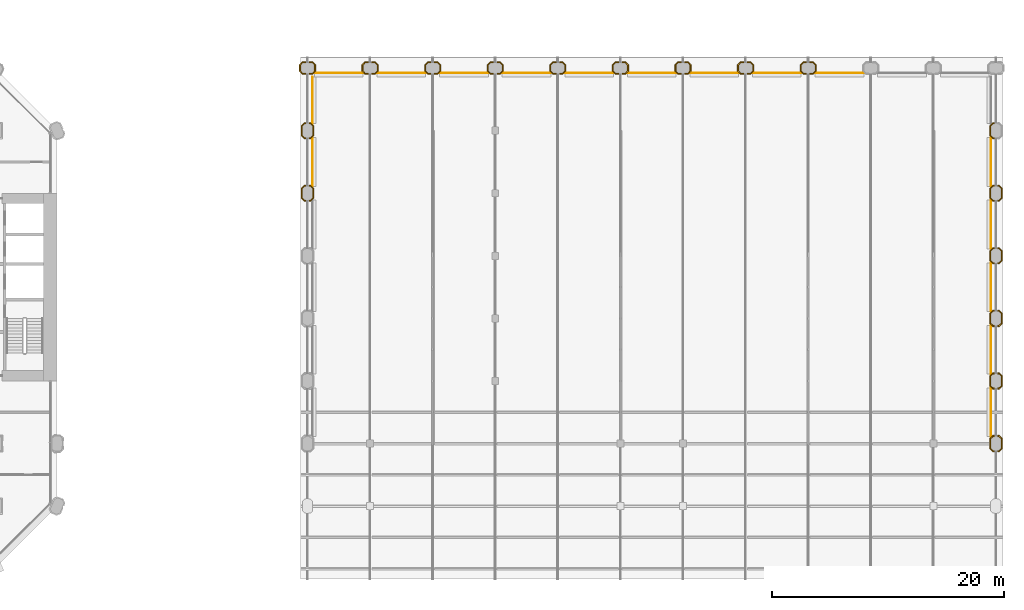
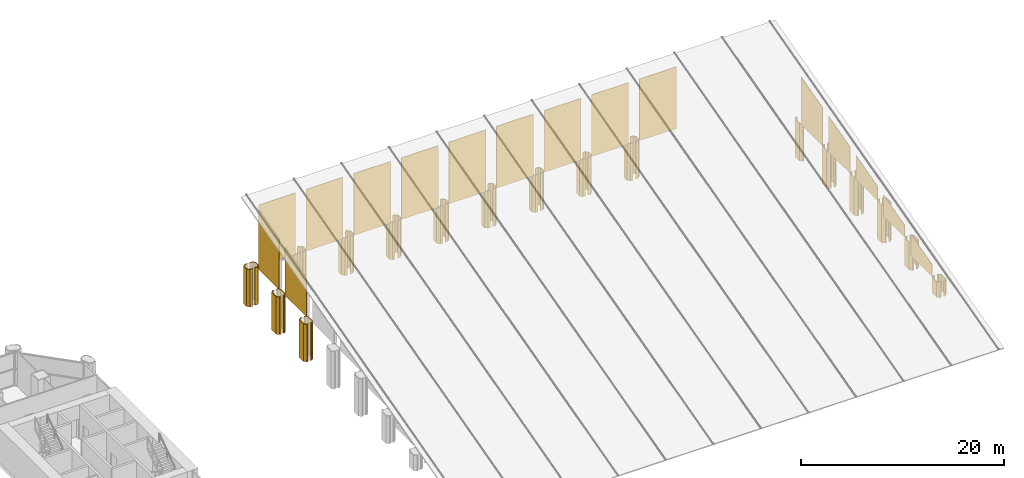
# One storey, part 22 of 23: 49 coverings.
"""IFC4 building model written with IfcOpenShell, lengths in metres."""

from ifc_helpers import new_model, si_unit, direction, frame, origin, place, context, subcontext, project, spatial, polyline, outline, extrude, material, layer, layer_set, type_object, element, save


model = new_model("IFC4")

# Units and contexts
model_context = context("Model", 3, precision=1e-05, world=origin(), true_north=direction((0.0, 1.0)))
body_context = subcontext(model_context, "Body", "Model", "MODEL_VIEW")
ifc_project = project(units=[si_unit("LENGTHUNIT", "METRE"), si_unit("AREAUNIT", "SQUARE_METRE"), si_unit("VOLUMEUNIT", "CUBIC_METRE"), si_unit("PLANEANGLEUNIT", "RADIAN"), si_unit("MASSUNIT", "GRAM", prefix="KILO")], contexts=[model_context])

# Site, building, storey
site_placement = place(None, origin())
site = spatial("IfcSite", under=ifc_project, at=site_placement, CompositionType="ELEMENT")
building_placement = place(site_placement, origin())
building = spatial("IfcBuilding", under=site, at=building_placement, Name="Tabaq Tower and Sports Hall", CompositionType="ELEMENT")
storey_placement = place(building_placement, frame((0.0, 0.0, 24.60009765625)))
storey = spatial("IfcBuildingStorey", under=building, at=storey_placement, Name="L04", CompositionType="ELEMENT", Elevation=24.60009765625)

# Coverings
ifc_material_1 = material(Name="Precast concrete C60/75", Category="concrete")
ifc_layer_1 = layer(ifc_material_1, 0.10009765625)
ifc_layer_set_1 = layer_set([ifc_layer_1], Name="Column cladding 100")
covering_type_1 = type_object("IfcCoveringType", Name="Column cladding 100", PredefinedType="CLADDING", material=ifc_layer_set_1)
covering_1_placement = place(storey_placement, origin())
element("IfcCovering", 1, at=covering_1_placement, inside=storey, type_object=covering_type_1, Name="Column cladding L04 HC-13G", PredefinedType="CLADDING", context=body_context, shape_type="SweptSolid", body=[
    extrude(outline(polyline([(64.5087890625, 31.7001953125), (64.250244140625, 31.958740234375), (64.250244140625, 32.84130859375), (64.5087890625, 33.099609375), (64.64697265625, 33.099609375), (64.64697265625, 33.000244140625), (64.5498046875, 33.000244140625), (64.349609375, 32.800048828125), (64.349609375, 31.999755859375), (64.5498046875, 31.7998046875), (64.64697265625, 31.7998046875), (64.64697265625, 31.7001953125), (64.5087890625, 31.7001953125)])), origin(), (0.0, 0.0, 1.0), 4.5),
])
covering_2_placement = place(storey_placement, origin())
element("IfcCovering", 2, at=covering_2_placement, inside=storey, type_object=covering_type_1, Name="Column cladding L04 HC-13G 2", PredefinedType="CLADDING", context=body_context, shape_type="SweptSolid", body=[
    extrude(outline(polyline([(64.952880859375, 31.7001953125), (64.952880859375, 31.7998046875), (65.050048828125, 31.7998046875), (65.250244140625, 31.999755859375), (65.250244140625, 32.800048828125), (65.050048828125, 33.000244140625), (64.952880859375, 33.000244140625), (64.952880859375, 33.099609375), (65.09130859375, 33.099609375), (65.349609375, 32.84130859375), (65.349609375, 31.958740234375), (65.09130859375, 31.7001953125), (64.952880859375, 31.7001953125)])), origin(), (0.0, 0.0, 1.0), 4.5),
])
covering_3_placement = place(storey_placement, origin())
element("IfcCovering", 3, at=covering_3_placement, inside=storey, type_object=covering_type_1, Name="Column cladding L04 HC-13H", PredefinedType="CLADDING", context=body_context, shape_type="SweptSolid", body=[
    extrude(outline(polyline([(64.5087890625, 37.100341796875), (64.250244140625, 37.358642578125), (64.250244140625, 38.2412109375), (64.5087890625, 38.499755859375), (64.64697265625, 38.499755859375), (64.64697265625, 38.400390625), (64.5498046875, 38.400390625), (64.349609375, 38.2001953125), (64.349609375, 37.39990234375), (64.5498046875, 37.19970703125), (64.64697265625, 37.19970703125), (64.64697265625, 37.100341796875), (64.5087890625, 37.100341796875)])), origin(), (0.0, 0.0, 1.0), 4.5),
])
covering_4_placement = place(storey_placement, origin())
element("IfcCovering", 4, at=covering_4_placement, inside=storey, type_object=covering_type_1, Name="Column cladding L04 HC-13H 2", PredefinedType="CLADDING", context=body_context, shape_type="SweptSolid", body=[
    extrude(outline(polyline([(64.952880859375, 37.100341796875), (64.952880859375, 37.19970703125), (65.050048828125, 37.19970703125), (65.250244140625, 37.39990234375), (65.250244140625, 38.2001953125), (65.050048828125, 38.400390625), (64.952880859375, 38.400390625), (64.952880859375, 38.499755859375), (65.09130859375, 38.499755859375), (65.349609375, 38.2412109375), (65.349609375, 37.358642578125), (65.09130859375, 37.100341796875), (64.952880859375, 37.100341796875)])), origin(), (0.0, 0.0, 1.0), 4.5),
])
covering_5_placement = place(storey_placement, origin())
element("IfcCovering", 5, at=covering_5_placement, inside=storey, type_object=covering_type_1, Name="Column cladding L04 HC-13I", PredefinedType="CLADDING", context=body_context, shape_type="SweptSolid", body=[
    extrude(outline(polyline([(65.2412109375, 43.749755859375), (65.499755859375, 43.4912109375), (65.499755859375, 42.90869140625), (65.2412109375, 42.650390625), (64.952880859375, 42.650390625), (64.952880859375, 42.749755859375), (65.2001953125, 42.749755859375), (65.400390625, 42.949951171875), (65.400390625, 43.4501953125), (65.2001953125, 43.650390625), (64.952880859375, 43.650390625), (64.952880859375, 43.749755859375), (65.2412109375, 43.749755859375)])), origin(), (0.0, 0.0, 1.0), 4.5),
])
covering_6_placement = place(storey_placement, origin())
element("IfcCovering", 6, at=covering_6_placement, inside=storey, type_object=covering_type_1, Name="Column cladding L04 HC-13I 2", PredefinedType="CLADDING", context=body_context, shape_type="SweptSolid", body=[
    extrude(outline(polyline([(64.100341796875, 43.4912109375), (64.358642578125, 43.749755859375), (64.64697265625, 43.749755859375), (64.64697265625, 43.650390625), (64.39990234375, 43.650390625), (64.19970703125, 43.4501953125), (64.19970703125, 42.949951171875), (64.39990234375, 42.749755859375), (64.64697265625, 42.749755859375), (64.64697265625, 42.650390625), (64.358642578125, 42.650390625), (64.100341796875, 42.90869140625), (64.100341796875, 43.4912109375)])), origin(), (0.0, 0.0, 1.0), 4.5),
])
covering_7_placement = place(storey_placement, origin())
element("IfcCovering", 7, at=covering_7_placement, inside=storey, type_object=covering_type_1, Name="Column cladding L04 HC-14I", PredefinedType="CLADDING", context=body_context, shape_type="SweptSolid", body=[
    extrude(outline(polyline([(70.641357421875, 43.749755859375), (70.899658203125, 43.4912109375), (70.899658203125, 42.90869140625), (70.641357421875, 42.650390625), (70.35302734375, 42.650390625), (70.35302734375, 42.749755859375), (70.60009765625, 42.749755859375), (70.80029296875, 42.949951171875), (70.80029296875, 43.4501953125), (70.60009765625, 43.650390625), (70.35302734375, 43.650390625), (70.35302734375, 43.749755859375), (70.641357421875, 43.749755859375)])), origin(), (0.0, 0.0, 1.0), 4.5),
])
covering_8_placement = place(storey_placement, origin())
element("IfcCovering", 8, at=covering_8_placement, inside=storey, type_object=covering_type_1, Name="Column cladding L04 HC-14I 2", PredefinedType="CLADDING", context=body_context, shape_type="SweptSolid", body=[
    extrude(outline(polyline([(69.500244140625, 43.4912109375), (69.7587890625, 43.749755859375), (70.047119140625, 43.749755859375), (70.047119140625, 43.650390625), (69.7998046875, 43.650390625), (69.599609375, 43.4501953125), (69.599609375, 42.949951171875), (69.7998046875, 42.749755859375), (70.047119140625, 42.749755859375), (70.047119140625, 42.650390625), (69.7587890625, 42.650390625), (69.500244140625, 42.90869140625), (69.500244140625, 43.4912109375)])), origin(), (0.0, 0.0, 1.0), 4.5),
])
covering_9_placement = place(storey_placement, origin())
element("IfcCovering", 9, at=covering_9_placement, inside=storey, type_object=covering_type_1, Name="Column cladding L04 HC-15I", PredefinedType="CLADDING", context=body_context, shape_type="SweptSolid", body=[
    extrude(outline(polyline([(76.041259765625, 43.749755859375), (76.2998046875, 43.4912109375), (76.2998046875, 42.90869140625), (76.041259765625, 42.650390625), (75.7529296875, 42.650390625), (75.7529296875, 42.749755859375), (76.000244140625, 42.749755859375), (76.2001953125, 42.949951171875), (76.2001953125, 43.4501953125), (76.000244140625, 43.650390625), (75.7529296875, 43.650390625), (75.7529296875, 43.749755859375), (76.041259765625, 43.749755859375)])), origin(), (0.0, 0.0, 1.0), 4.5),
])
covering_10_placement = place(storey_placement, origin())
element("IfcCovering", 10, at=covering_10_placement, inside=storey, type_object=covering_type_1, Name="Column cladding L04 HC-15I 2", PredefinedType="CLADDING", context=body_context, shape_type="SweptSolid", body=[
    extrude(outline(polyline([(74.900390625, 43.4912109375), (75.15869140625, 43.749755859375), (75.447021484375, 43.749755859375), (75.447021484375, 43.650390625), (75.199951171875, 43.650390625), (74.999755859375, 43.4501953125), (74.999755859375, 42.949951171875), (75.199951171875, 42.749755859375), (75.447021484375, 42.749755859375), (75.447021484375, 42.650390625), (75.15869140625, 42.650390625), (74.900390625, 42.90869140625), (74.900390625, 43.4912109375)])), origin(), (0.0, 0.0, 1.0), 4.5),
])
covering_11_placement = place(storey_placement, origin())
element("IfcCovering", 11, at=covering_11_placement, inside=storey, type_object=covering_type_1, Name="Column cladding L04 HC-16I", PredefinedType="CLADDING", context=body_context, shape_type="SweptSolid", body=[
    extrude(outline(polyline([(81.44140625, 43.749755859375), (81.69970703125, 43.4912109375), (81.69970703125, 42.90869140625), (81.44140625, 42.650390625), (81.153076171875, 42.650390625), (81.153076171875, 42.749755859375), (81.400146484375, 42.749755859375), (81.600341796875, 42.949951171875), (81.600341796875, 43.4501953125), (81.400146484375, 43.650390625), (81.153076171875, 43.650390625), (81.153076171875, 43.749755859375), (81.44140625, 43.749755859375)])), origin(), (0.0, 0.0, 1.0), 4.5),
])
covering_12_placement = place(storey_placement, origin())
element("IfcCovering", 12, at=covering_12_placement, inside=storey, type_object=covering_type_1, Name="Column cladding L04 HC-16I 2", PredefinedType="CLADDING", context=body_context, shape_type="SweptSolid", body=[
    extrude(outline(polyline([(80.30029296875, 43.4912109375), (80.55859375, 43.749755859375), (80.846923828125, 43.749755859375), (80.846923828125, 43.650390625), (80.599853515625, 43.650390625), (80.399658203125, 43.4501953125), (80.399658203125, 42.949951171875), (80.599853515625, 42.749755859375), (80.846923828125, 42.749755859375), (80.846923828125, 42.650390625), (80.55859375, 42.650390625), (80.30029296875, 42.90869140625), (80.30029296875, 43.4912109375)])), origin(), (0.0, 0.0, 1.0), 4.5),
])
covering_13_placement = place(storey_placement, origin())
element("IfcCovering", 13, at=covering_13_placement, inside=storey, type_object=covering_type_1, Name="Column cladding L04 HC-17I", PredefinedType="CLADDING", context=body_context, shape_type="SweptSolid", body=[
    extrude(outline(polyline([(86.84130859375, 43.749755859375), (87.099609375, 43.4912109375), (87.099609375, 42.90869140625), (86.84130859375, 42.650390625), (86.552978515625, 42.650390625), (86.552978515625, 42.749755859375), (86.800048828125, 42.749755859375), (87.000244140625, 42.949951171875), (87.000244140625, 43.4501953125), (86.800048828125, 43.650390625), (86.552978515625, 43.650390625), (86.552978515625, 43.749755859375), (86.84130859375, 43.749755859375)])), origin(), (0.0, 0.0, 1.0), 4.5),
])
covering_14_placement = place(storey_placement, origin())
element("IfcCovering", 14, at=covering_14_placement, inside=storey, type_object=covering_type_1, Name="Column cladding L04 HC-17I 2", PredefinedType="CLADDING", context=body_context, shape_type="SweptSolid", body=[
    extrude(outline(polyline([(85.7001953125, 43.4912109375), (85.958740234375, 43.749755859375), (86.2470703125, 43.749755859375), (86.2470703125, 43.650390625), (85.999755859375, 43.650390625), (85.7998046875, 43.4501953125), (85.7998046875, 42.949951171875), (85.999755859375, 42.749755859375), (86.2470703125, 42.749755859375), (86.2470703125, 42.650390625), (85.958740234375, 42.650390625), (85.7001953125, 42.90869140625), (85.7001953125, 43.4912109375)])), origin(), (0.0, 0.0, 1.0), 4.5),
])
covering_15_placement = place(storey_placement, origin())
element("IfcCovering", 15, at=covering_15_placement, inside=storey, type_object=covering_type_1, Name="Column cladding L04 HC-18I", PredefinedType="CLADDING", context=body_context, shape_type="SweptSolid", body=[
    extrude(outline(polyline([(92.2412109375, 43.749755859375), (92.499755859375, 43.4912109375), (92.499755859375, 42.90869140625), (92.2412109375, 42.650390625), (91.952880859375, 42.650390625), (91.952880859375, 42.749755859375), (92.2001953125, 42.749755859375), (92.400390625, 42.949951171875), (92.400390625, 43.4501953125), (92.2001953125, 43.650390625), (91.952880859375, 43.650390625), (91.952880859375, 43.749755859375), (92.2412109375, 43.749755859375)])), origin(), (0.0, 0.0, 1.0), 4.5),
])
covering_16_placement = place(storey_placement, origin())
element("IfcCovering", 16, at=covering_16_placement, inside=storey, type_object=covering_type_1, Name="Column cladding L04 HC-18I 2", PredefinedType="CLADDING", context=body_context, shape_type="SweptSolid", body=[
    extrude(outline(polyline([(91.100341796875, 43.4912109375), (91.358642578125, 43.749755859375), (91.64697265625, 43.749755859375), (91.64697265625, 43.650390625), (91.39990234375, 43.650390625), (91.19970703125, 43.4501953125), (91.19970703125, 42.949951171875), (91.39990234375, 42.749755859375), (91.64697265625, 42.749755859375), (91.64697265625, 42.650390625), (91.358642578125, 42.650390625), (91.100341796875, 42.90869140625), (91.100341796875, 43.4912109375)])), origin(), (0.0, 0.0, 1.0), 4.5),
])
covering_17_placement = place(storey_placement, origin())
element("IfcCovering", 17, at=covering_17_placement, inside=storey, type_object=covering_type_1, Name="Column cladding L04 HC-19I", PredefinedType="CLADDING", context=body_context, shape_type="SweptSolid", body=[
    extrude(outline(polyline([(97.641357421875, 43.749755859375), (97.899658203125, 43.4912109375), (97.899658203125, 42.90869140625), (97.641357421875, 42.650390625), (97.35302734375, 42.650390625), (97.35302734375, 42.749755859375), (97.60009765625, 42.749755859375), (97.80029296875, 42.949951171875), (97.80029296875, 43.4501953125), (97.60009765625, 43.650390625), (97.35302734375, 43.650390625), (97.35302734375, 43.749755859375), (97.641357421875, 43.749755859375)])), origin(), (0.0, 0.0, 1.0), 4.5),
])
covering_18_placement = place(storey_placement, origin())
element("IfcCovering", 18, at=covering_18_placement, inside=storey, type_object=covering_type_1, Name="Column cladding L04 HC-19I 2", PredefinedType="CLADDING", context=body_context, shape_type="SweptSolid", body=[
    extrude(outline(polyline([(96.500244140625, 43.4912109375), (96.7587890625, 43.749755859375), (97.047119140625, 43.749755859375), (97.047119140625, 43.650390625), (96.7998046875, 43.650390625), (96.599609375, 43.4501953125), (96.599609375, 42.949951171875), (96.7998046875, 42.749755859375), (97.047119140625, 42.749755859375), (97.047119140625, 42.650390625), (96.7587890625, 42.650390625), (96.500244140625, 42.90869140625), (96.500244140625, 43.4912109375)])), origin(), (0.0, 0.0, 1.0), 4.5),
])
covering_19_placement = place(storey_placement, origin())
element("IfcCovering", 19, at=covering_19_placement, inside=storey, type_object=covering_type_1, Name="Column cladding L04 HC-20I", PredefinedType="CLADDING", context=body_context, shape_type="SweptSolid", body=[
    extrude(outline(polyline([(103.041259765625, 43.749755859375), (103.2998046875, 43.4912109375), (103.2998046875, 42.90869140625), (103.041259765625, 42.650390625), (102.7529296875, 42.650390625), (102.7529296875, 42.749755859375), (103.000244140625, 42.749755859375), (103.2001953125, 42.949951171875), (103.2001953125, 43.4501953125), (103.000244140625, 43.650390625), (102.7529296875, 43.650390625), (102.7529296875, 43.749755859375), (103.041259765625, 43.749755859375)])), origin(), (0.0, 0.0, 1.0), 4.5),
])
covering_20_placement = place(storey_placement, origin())
element("IfcCovering", 20, at=covering_20_placement, inside=storey, type_object=covering_type_1, Name="Column cladding L04 HC-20I 2", PredefinedType="CLADDING", context=body_context, shape_type="SweptSolid", body=[
    extrude(outline(polyline([(101.900390625, 43.4912109375), (102.15869140625, 43.749755859375), (102.447021484375, 43.749755859375), (102.447021484375, 43.650390625), (102.199951171875, 43.650390625), (101.999755859375, 43.4501953125), (101.999755859375, 42.949951171875), (102.199951171875, 42.749755859375), (102.447021484375, 42.749755859375), (102.447021484375, 42.650390625), (102.15869140625, 42.650390625), (101.900390625, 42.90869140625), (101.900390625, 43.4912109375)])), origin(), (0.0, 0.0, 1.0), 4.5),
])
covering_21_placement = place(storey_placement, origin())
element("IfcCovering", 21, at=covering_21_placement, inside=storey, type_object=covering_type_1, Name="Column cladding L04 HC-21I", PredefinedType="CLADDING", context=body_context, shape_type="SweptSolid", body=[
    extrude(outline(polyline([(108.44140625, 43.749755859375), (108.69970703125, 43.4912109375), (108.69970703125, 42.90869140625), (108.44140625, 42.650390625), (108.153076171875, 42.650390625), (108.153076171875, 42.749755859375), (108.400146484375, 42.749755859375), (108.600341796875, 42.949951171875), (108.600341796875, 43.4501953125), (108.400146484375, 43.650390625), (108.153076171875, 43.650390625), (108.153076171875, 43.749755859375), (108.44140625, 43.749755859375)])), origin(), (0.0, 0.0, 1.0), 4.5),
])
covering_22_placement = place(storey_placement, origin())
element("IfcCovering", 22, at=covering_22_placement, inside=storey, type_object=covering_type_1, Name="Column cladding L04 HC-21I 2", PredefinedType="CLADDING", context=body_context, shape_type="SweptSolid", body=[
    extrude(outline(polyline([(107.30029296875, 43.4912109375), (107.55859375, 43.749755859375), (107.846923828125, 43.749755859375), (107.846923828125, 43.650390625), (107.599853515625, 43.650390625), (107.399658203125, 43.4501953125), (107.399658203125, 42.949951171875), (107.599853515625, 42.749755859375), (107.846923828125, 42.749755859375), (107.846923828125, 42.650390625), (107.55859375, 42.650390625), (107.30029296875, 42.90869140625), (107.30029296875, 43.4912109375)])), origin(), (0.0, 0.0, 1.0), 4.5),
])
covering_23_placement = place(storey_placement, origin())
element("IfcCovering", 23, at=covering_23_placement, inside=storey, type_object=covering_type_1, Name="Column cladding L04 HC-24C", PredefinedType="CLADDING", context=body_context, shape_type="SweptSolid", body=[
    extrude(outline(polyline([(123.90869140625, 10.100341796875), (123.650390625, 10.358642578125), (123.650390625, 11.2412109375), (123.90869140625, 11.499755859375), (124.047119140625, 11.499755859375), (124.047119140625, 11.400390625), (123.949951171875, 11.400390625), (123.749755859375, 11.2001953125), (123.749755859375, 10.39990234375), (123.949951171875, 10.19970703125), (124.047119140625, 10.19970703125), (124.047119140625, 10.100341796875), (123.90869140625, 10.100341796875)])), origin(), (0.0, 0.0, 1.0), 1.855224609375),
])
covering_24_placement = place(storey_placement, origin())
element("IfcCovering", 24, at=covering_24_placement, inside=storey, type_object=covering_type_1, Name="Column cladding L04 HC-24C 2", PredefinedType="CLADDING", context=body_context, shape_type="SweptSolid", body=[
    extrude(outline(polyline([(124.35302734375, 10.100341796875), (124.35302734375, 10.19970703125), (124.4501953125, 10.19970703125), (124.650390625, 10.39990234375), (124.650390625, 11.2001953125), (124.4501953125, 11.400390625), (124.35302734375, 11.400390625), (124.35302734375, 11.499755859375), (124.4912109375, 11.499755859375), (124.749755859375, 11.2412109375), (124.749755859375, 10.358642578125), (124.4912109375, 10.100341796875), (124.35302734375, 10.100341796875)])), origin(), (0.0, 0.0, 1.0), 1.855224609375),
])
covering_25_placement = place(storey_placement, origin())
element("IfcCovering", 25, at=covering_25_placement, inside=storey, type_object=covering_type_1, Name="Column cladding L04 HC-24D", PredefinedType="CLADDING", context=body_context, shape_type="SweptSolid", body=[
    extrude(outline(polyline([(123.90869140625, 15.500244140625), (123.650390625, 15.7587890625), (123.650390625, 16.641357421875), (123.90869140625, 16.899658203125), (124.047119140625, 16.899658203125), (124.047119140625, 16.80029296875), (123.949951171875, 16.80029296875), (123.749755859375, 16.60009765625), (123.749755859375, 15.7998046875), (123.949951171875, 15.599609375), (124.047119140625, 15.599609375), (124.047119140625, 15.500244140625), (123.90869140625, 15.500244140625)])), origin(), (0.0, 0.0, 1.0), 3.302001953125),
])
covering_26_placement = place(storey_placement, origin())
element("IfcCovering", 26, at=covering_26_placement, inside=storey, type_object=covering_type_1, Name="Column cladding L04 HC-24D 2", PredefinedType="CLADDING", context=body_context, shape_type="SweptSolid", body=[
    extrude(outline(polyline([(124.35302734375, 15.500244140625), (124.35302734375, 15.599609375), (124.4501953125, 15.599609375), (124.650390625, 15.7998046875), (124.650390625, 16.60009765625), (124.4501953125, 16.80029296875), (124.35302734375, 16.80029296875), (124.35302734375, 16.899658203125), (124.4912109375, 16.899658203125), (124.749755859375, 16.641357421875), (124.749755859375, 15.7587890625), (124.4912109375, 15.500244140625), (124.35302734375, 15.500244140625)])), origin(), (0.0, 0.0, 1.0), 3.302001953125),
])
covering_27_placement = place(storey_placement, origin())
element("IfcCovering", 27, at=covering_27_placement, inside=storey, type_object=covering_type_1, Name="Column cladding L04 HC-24E", PredefinedType="CLADDING", context=body_context, shape_type="SweptSolid", body=[
    extrude(outline(polyline([(124.35302734375, 20.900390625), (124.35302734375, 20.999755859375), (124.4501953125, 20.999755859375), (124.650390625, 21.199951171875), (124.650390625, 22.000244140625), (124.4501953125, 22.2001953125), (124.35302734375, 22.2001953125), (124.35302734375, 22.2998046875), (124.4912109375, 22.2998046875), (124.749755859375, 22.041259765625), (124.749755859375, 21.15869140625), (124.4912109375, 20.900390625), (124.35302734375, 20.900390625)])), origin(), (0.0, 0.0, 1.0), 4.5),
])
covering_28_placement = place(storey_placement, origin())
element("IfcCovering", 28, at=covering_28_placement, inside=storey, type_object=covering_type_1, Name="Column cladding L04 HC-24E 2", PredefinedType="CLADDING", context=body_context, shape_type="SweptSolid", body=[
    extrude(outline(polyline([(123.90869140625, 20.900390625), (123.650390625, 21.15869140625), (123.650390625, 22.041259765625), (123.90869140625, 22.2998046875), (124.047119140625, 22.2998046875), (124.047119140625, 22.2001953125), (123.949951171875, 22.2001953125), (123.749755859375, 22.000244140625), (123.749755859375, 21.199951171875), (123.949951171875, 20.999755859375), (124.047119140625, 20.999755859375), (124.047119140625, 20.900390625), (123.90869140625, 20.900390625)])), origin(), (0.0, 0.0, 1.0), 4.5),
])
covering_29_placement = place(storey_placement, origin())
element("IfcCovering", 29, at=covering_29_placement, inside=storey, type_object=covering_type_1, Name="Column cladding L04 HC-24F", PredefinedType="CLADDING", context=body_context, shape_type="SweptSolid", body=[
    extrude(outline(polyline([(124.35302734375, 26.30029296875), (124.35302734375, 26.399658203125), (124.4501953125, 26.399658203125), (124.650390625, 26.599853515625), (124.650390625, 27.400146484375), (124.4501953125, 27.600341796875), (124.35302734375, 27.600341796875), (124.35302734375, 27.69970703125), (124.4912109375, 27.69970703125), (124.749755859375, 27.44140625), (124.749755859375, 26.55859375), (124.4912109375, 26.30029296875), (124.35302734375, 26.30029296875)])), origin(), (0.0, 0.0, 1.0), 4.5),
])
covering_30_placement = place(storey_placement, origin())
element("IfcCovering", 30, at=covering_30_placement, inside=storey, type_object=covering_type_1, Name="Column cladding L04 HC-24F 2", PredefinedType="CLADDING", context=body_context, shape_type="SweptSolid", body=[
    extrude(outline(polyline([(123.90869140625, 26.30029296875), (123.650390625, 26.55859375), (123.650390625, 27.44140625), (123.90869140625, 27.69970703125), (124.047119140625, 27.69970703125), (124.047119140625, 27.600341796875), (123.949951171875, 27.600341796875), (123.749755859375, 27.400146484375), (123.749755859375, 26.599853515625), (123.949951171875, 26.399658203125), (124.047119140625, 26.399658203125), (124.047119140625, 26.30029296875), (123.90869140625, 26.30029296875)])), origin(), (0.0, 0.0, 1.0), 4.5),
])
covering_31_placement = place(storey_placement, origin())
element("IfcCovering", 31, at=covering_31_placement, inside=storey, type_object=covering_type_1, Name="Column cladding L04 HC-24G", PredefinedType="CLADDING", context=body_context, shape_type="SweptSolid", body=[
    extrude(outline(polyline([(124.35302734375, 31.7001953125), (124.35302734375, 31.7998046875), (124.4501953125, 31.7998046875), (124.650390625, 31.999755859375), (124.650390625, 32.800048828125), (124.4501953125, 33.000244140625), (124.35302734375, 33.000244140625), (124.35302734375, 33.099609375), (124.4912109375, 33.099609375), (124.749755859375, 32.84130859375), (124.749755859375, 31.958740234375), (124.4912109375, 31.7001953125), (124.35302734375, 31.7001953125)])), origin(), (0.0, 0.0, 1.0), 4.5),
])
covering_32_placement = place(storey_placement, origin())
element("IfcCovering", 32, at=covering_32_placement, inside=storey, type_object=covering_type_1, Name="Column cladding L04 HC-24G 2", PredefinedType="CLADDING", context=body_context, shape_type="SweptSolid", body=[
    extrude(outline(polyline([(123.90869140625, 31.7001953125), (123.650390625, 31.958740234375), (123.650390625, 32.84130859375), (123.90869140625, 33.099609375), (124.047119140625, 33.099609375), (124.047119140625, 33.000244140625), (123.949951171875, 33.000244140625), (123.749755859375, 32.800048828125), (123.749755859375, 31.999755859375), (123.949951171875, 31.7998046875), (124.047119140625, 31.7998046875), (124.047119140625, 31.7001953125), (123.90869140625, 31.7001953125)])), origin(), (0.0, 0.0, 1.0), 4.5),
])
covering_33_placement = place(storey_placement, origin())
element("IfcCovering", 33, at=covering_33_placement, inside=storey, type_object=covering_type_1, Name="Column cladding L04 HC-24H 2", PredefinedType="CLADDING", context=body_context, shape_type="SweptSolid", body=[
    extrude(outline(polyline([(123.90869140625, 37.100341796875), (123.650390625, 37.358642578125), (123.650390625, 38.2412109375), (123.90869140625, 38.499755859375), (124.047119140625, 38.499755859375), (124.047119140625, 38.400390625), (123.949951171875, 38.400390625), (123.749755859375, 38.2001953125), (123.749755859375, 37.39990234375), (123.949951171875, 37.19970703125), (124.047119140625, 37.19970703125), (124.047119140625, 37.100341796875), (123.90869140625, 37.100341796875)])), origin(), (0.0, 0.0, 1.0), 4.5),
])
ifc_material_2 = material(Name="Precast concrete C60/75", Category="concrete")
ifc_layer_2 = layer(ifc_material_2, 0.06005859375)
ifc_layer_set_2 = layer_set([ifc_layer_2], Name="White precast cladding panel 60 C60/75")
covering_type_2 = type_object("IfcCoveringType", Name="White precast cladding panel 60 C60/75", PredefinedType="CLADDING", material=ifc_layer_set_2)
covering_34_placement = place(storey_placement, frame((123.780029296875, 11.39990234375, 1.776611328125), z_axis=(0.0, 0.0, 1.0), x_axis=(0.0, 1.0, 0.0)))
element("IfcCovering", 34, at=covering_34_placement, inside=storey, type_object=covering_type_2, Name="White precast cladding panel L04 hi", PredefinedType="CLADDING", context=body_context, shape_type="SweptSolid", body=[
    extrude(outline(polyline([(0.0, 0.0), (4.2001953125, 0.0), (4.199951171875, 2.587646484375), (0.0, 1.46240234375), (0.0, 0.0)])), frame((0.0, 0.030029296875, 0.0), z_axis=(0.0, -1.0, 0.0), x_axis=(1.0, 0.0, 0.0)), (0.0, 0.0, 1.0), 0.06005859375),
])
covering_35_placement = place(storey_placement, frame((123.780029296875, 16.800048828125, 3.2236328125), z_axis=(0.0, 0.0, 1.0), x_axis=(0.0, 1.0, 0.0)))
element("IfcCovering", 35, at=covering_35_placement, inside=storey, type_object=covering_type_2, Name="White precast cladding panel L04 hi", PredefinedType="CLADDING", context=body_context, shape_type="SweptSolid", body=[
    extrude(outline(polyline([(0.0, 0.0), (4.199951171875, 0.0), (4.199951171875, 2.587646484375), (0.0, 1.462158203125), (0.0, 0.0)])), frame((0.0, 0.030029296875, 0.0), z_axis=(0.0, -1.0, 0.0), x_axis=(1.0, 0.0, 0.0)), (0.0, 0.0, 1.0), 0.06005859375),
])
covering_36_placement = place(storey_placement, frame((123.780029296875, 22.199951171875, 4.39990234375), z_axis=(0.0, 0.0, 1.0), x_axis=(0.0, 1.0, 0.0)))
element("IfcCovering", 36, at=covering_36_placement, inside=storey, type_object=covering_type_2, Name="White precast cladding panel L04 hi", PredefinedType="CLADDING", context=body_context, shape_type="SweptSolid", body=[
    extrude(outline(polyline([(0.0, 0.0), (4.199951171875, 0.0), (4.199951171875, 2.8583984375), (0.0, 1.73291015625), (0.0, 0.0)])), frame((0.0, 0.030029296875, 0.0), z_axis=(0.0, -1.0, 0.0), x_axis=(1.0, 0.0, 0.0)), (0.0, 0.0, 1.0), 0.06005859375),
])
covering_37_placement = place(storey_placement, frame((123.780029296875, 27.60009765625, 4.39990234375), z_axis=(0.0, 0.0, 1.0), x_axis=(0.0, 1.0, 0.0)))
element("IfcCovering", 37, at=covering_37_placement, inside=storey, type_object=covering_type_2, Name="White precast cladding panel L04 hi", PredefinedType="CLADDING", context=body_context, shape_type="SweptSolid", body=[
    extrude(outline(polyline([(0.0, 0.0), (4.199951171875, 0.0), (4.199951171875, 4.30517578125), (0.0, 3.179931640625), (0.0, 0.0)])), frame((0.0, 0.030029296875, 0.0), z_axis=(0.0, -1.0, 0.0), x_axis=(1.0, 0.0, 0.0)), (0.0, 0.0, 1.0), 0.06005859375),
])
covering_38_placement = place(storey_placement, frame((123.780029296875, 33.0, 4.39990234375), z_axis=(0.0, 0.0, 1.0), x_axis=(0.0, 1.0, 0.0)))
element("IfcCovering", 38, at=covering_38_placement, inside=storey, type_object=covering_type_2, Name="White precast cladding panel L04 hi", PredefinedType="CLADDING", context=body_context, shape_type="SweptSolid", body=[
    extrude(outline(polyline([(0.0, 0.0), (4.199951171875, 0.0), (4.199951171875, 5.752197265625), (0.0, 4.626708984375), (0.0, 0.0)])), frame((0.0, 0.030029296875, 0.0), z_axis=(0.0, -1.0, 0.0), x_axis=(1.0, 0.0, 0.0)), (0.0, 0.0, 1.0), 0.06005859375),
])
covering_39_placement = place(storey_placement, frame((65.39990234375, 42.780029296875, 4.39990234375), z_axis=(0.0, 0.0, 1.0), x_axis=(1.0, 0.0, 0.0)))
element("IfcCovering", 39, at=covering_39_placement, inside=storey, type_object=covering_type_2, Name="White precast cladding panel L04 hi", PredefinedType="CLADDING", context=body_context, shape_type="SweptSolid", body=[
    extrude(outline(polyline([(0.0, 0.0), (4.2001953125, 0.0), (4.199951171875, 7.419189453125), (0.0, 7.419189453125), (0.0, 0.0)])), frame((0.0, 0.030029296875, 0.0), z_axis=(0.0, -1.0, 0.0), x_axis=(1.0, 0.0, 0.0)), (0.0, 0.0, 1.0), 0.06005859375),
])
for number, where, z_axis, x_axis, name in (
    (40, (70.800048828125, 42.780029296875, 4.39990234375), (0.0, 0.0, 1.0), (1.0, 0.0, 0.0), "White precast cladding panel L04 hi"),
    (41, (76.199951171875, 42.780029296875, 4.39990234375), (0.0, 0.0, 1.0), (1.0, 0.0, 0.0), "White precast cladding panel L04 hi"),
    (42, (81.60009765625, 42.780029296875, 4.39990234375), (0.0, 0.0, 1.0), (1.0, 0.0, 0.0), "White precast cladding panel L04 hi"),
    (43, (87.0, 42.780029296875, 4.39990234375), (0.0, 0.0, 1.0), (1.0, 0.0, 0.0), "White precast cladding panel L04 hi"),
):
    element("IfcCovering", number, at=place(storey_placement, frame(where, z_axis=z_axis, x_axis=x_axis)), inside=storey, type_object=covering_type_2, Name=name, PredefinedType="CLADDING", context=body_context, shape_type="SweptSolid", body=[
        extrude(outline(polyline([(0.0, 0.0), (4.199951171875, 0.0), (4.199951171875, 7.419189453125), (0.0, 7.419189453125), (0.0, 0.0)])), frame((0.0, 0.030029296875, 0.0), z_axis=(0.0, -1.0, 0.0), x_axis=(1.0, 0.0, 0.0)), (0.0, 0.0, 1.0), 0.06005859375),
    ])
covering_40_placement = place(storey_placement, frame((92.39990234375, 42.780029296875, 4.39990234375), z_axis=(0.0, 0.0, 1.0), x_axis=(1.0, 0.0, 0.0)))
element("IfcCovering", 44, at=covering_40_placement, inside=storey, type_object=covering_type_2, Name="White precast cladding panel L04 hi", PredefinedType="CLADDING", context=body_context, shape_type="SweptSolid", body=[
    extrude(outline(polyline([(0.0, 0.0), (4.2001953125, 0.0), (4.199951171875, 7.419189453125), (0.0, 7.419189453125), (0.0, 0.0)])), frame((0.0, 0.030029296875, 0.0), z_axis=(0.0, -1.0, 0.0), x_axis=(1.0, 0.0, 0.0)), (0.0, 0.0, 1.0), 0.06005859375),
])
for number, where, z_axis, x_axis, name in (
    (45, (97.800048828125, 42.780029296875, 4.39990234375), (0.0, 0.0, 1.0), (1.0, 0.0, 0.0), "White precast cladding panel L04 hi"),
    (46, (103.199951171875, 42.780029296875, 4.39990234375), (0.0, 0.0, 1.0), (1.0, 0.0, 0.0), "White precast cladding panel L04 hi"),
    (47, (108.60009765625, 42.780029296875, 4.39990234375), (0.0, 0.0, 1.0), (1.0, 0.0, 0.0), "White precast cladding panel L04 hi"),
):
    element("IfcCovering", number, at=place(storey_placement, frame(where, z_axis=z_axis, x_axis=x_axis)), inside=storey, type_object=covering_type_2, Name=name, PredefinedType="CLADDING", context=body_context, shape_type="SweptSolid", body=[
        extrude(outline(polyline([(0.0, 0.0), (4.199951171875, 0.0), (4.199951171875, 7.419189453125), (0.0, 7.419189453125), (0.0, 0.0)])), frame((0.0, 0.030029296875, 0.0), z_axis=(0.0, -1.0, 0.0), x_axis=(1.0, 0.0, 0.0)), (0.0, 0.0, 1.0), 0.06005859375),
    ])
covering_41_placement = place(storey_placement, frame((65.219970703125, 33.0, 4.39990234375), z_axis=(0.0, 0.0, 1.0), x_axis=(0.0, 1.0, 0.0)))
element("IfcCovering", 48, at=covering_41_placement, inside=storey, type_object=covering_type_2, Name="White precast cladding panel L04 hi", PredefinedType="CLADDING", context=body_context, shape_type="SweptSolid", body=[
    extrude(outline(polyline([(0.0, 0.0), (4.199951171875, 0.0), (4.199951171875, 5.752197265625), (0.0, 4.626708984375), (0.0, 0.0)])), frame((0.0, 0.030029296875, 0.0), z_axis=(0.0, -1.0, 0.0), x_axis=(1.0, 0.0, 0.0)), (0.0, 0.0, 1.0), 0.06005859375),
])
covering_42_placement = place(storey_placement, frame((65.219970703125, 38.39990234375, 4.39990234375), z_axis=(0.0, 0.0, 1.0), x_axis=(0.0, 1.0, 0.0)))
element("IfcCovering", 49, at=covering_42_placement, inside=storey, type_object=covering_type_2, Name="White precast cladding panel L04 hi", PredefinedType="CLADDING", context=body_context, shape_type="SweptSolid", body=[
    extrude(outline(polyline([(0.0, 0.0), (4.050048828125, 0.0), (4.050048828125, 7.158935546875), (0.0, 6.07373046875), (0.0, 0.0)])), frame((0.0, 0.030029296875, 0.0), z_axis=(0.0, -1.0, 0.0), x_axis=(1.0, 0.0, 0.0)), (0.0, 0.0, 1.0), 0.06005859375),
])

save(model, "model.ifc")
